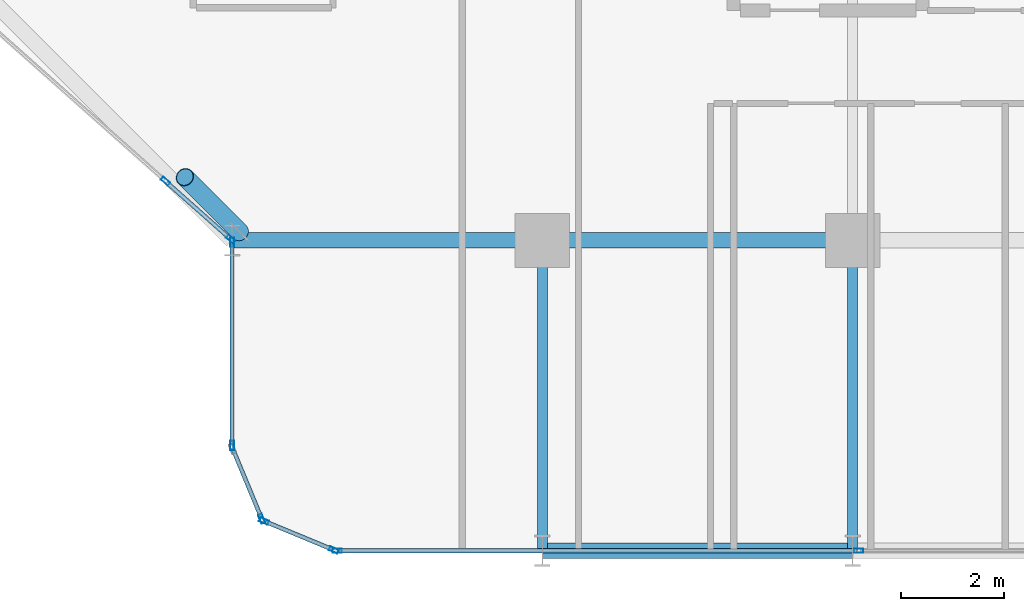
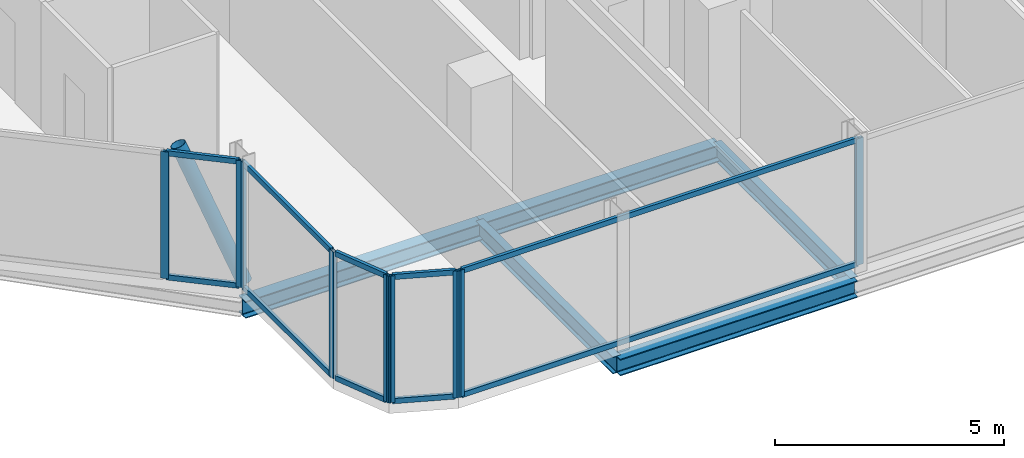
# One storey, part 4 of 30: 20 members, 5 beams, 5 elements without a shape of their own.
"""IFC4 building model written with IfcOpenShell, lengths in metres."""

from ifc_helpers import new_model, si_unit, direction, frame, origin, origin_2d, place, context, subcontext, project, spatial, hollow_rectangle, hollow_circle, i_section, extrude, material, layer, layer_set, material_profile, profile_set, type_object, element, aggregate, save


model = new_model("IFC4")

# Units and contexts
model_context = context("Model", 3, precision=1e-05, world=origin(), true_north=direction((0.0, 1.0)))
body_context = subcontext(model_context, "Body", "Model", "MODEL_VIEW")
ifc_project = project(units=[si_unit("LENGTHUNIT", "METRE"), si_unit("AREAUNIT", "SQUARE_METRE"), si_unit("VOLUMEUNIT", "CUBIC_METRE"), si_unit("PLANEANGLEUNIT", "RADIAN"), si_unit("MASSUNIT", "GRAM", prefix="KILO")], contexts=[model_context])

# Site, building, storey
site_placement = place(None, origin())
site = spatial("IfcSite", under=ifc_project, at=site_placement, CompositionType="ELEMENT")
building_placement = place(site_placement, origin())
building = spatial("IfcBuilding", under=site, at=building_placement, Name="Keshet Zoharim Tower", CompositionType="ELEMENT")
storey_placement = place(building_placement, frame((0.0, 0.0, 90.89990234375)))
storey = spatial("IfcBuildingStorey", under=building, at=storey_placement, Name="L21", CompositionType="ELEMENT", Elevation=90.89990234375)

# Beams
ifc_material_1 = material(Name="Steel S355", Category="steel")
ifc_material_profile_1 = material_profile(ifc_material_1, i_section(OverallWidth=0.18994140625, OverallDepth=0.449951171875, WebThickness=0.009521484375, FlangeThickness=0.0146484375, FilletRadius=0.02099609375, at=origin_2d()), Name="IPE450")
ifc_profile_set_1 = profile_set([ifc_material_profile_1], Name="Steel S355")
beam_type_1 = type_object("IfcBeamType", Name="BM-PRI-IP450", PredefinedType="BEAM", material=ifc_profile_set_1)
for number, where, z_axis, x_axis, name in (
    (1, (27.0, 0.699951171875, -0.539794921875), (0.0, 1.0, 0.0), (-1.0, 0.0, 0.0), "L21 Primary Girder Y-004"),
    (2, (33.0, 0.699951171875, -0.539794921875), (0.0, 1.0, 0.0), (-1.0, 0.0, 0.0), "L21 Primary Girder Y-005"),
):
    element("IfcBeam", number, at=place(storey_placement, frame(where, z_axis=z_axis, x_axis=x_axis)), inside=storey, type_object=beam_type_1, Name=name, PredefinedType="BEAM", context=body_context, shape_type="SweptSolid", body=[
        extrude(i_section(OverallWidth=0.18994140625, OverallDepth=0.449951171875, WebThickness=0.009521484375, FlangeThickness=0.0146484375, FilletRadius=0.02099609375, at=origin_2d()), origin(), (0.0, 0.0, 1.0), 6.0),
    ])
ifc_material_profile_2 = material_profile(ifc_material_1, i_section(OverallWidth=0.300048828125, OverallDepth=0.449951171875, WebThickness=0.013916015625, FlangeThickness=0.02587890625, FilletRadius=0.027099609375, at=origin_2d()), Name="HEB450")
ifc_profile_set_2 = profile_set([ifc_material_profile_2], Name="Steel S355")
beam_type_2 = type_object("IfcBeamType", Name="BM-WEB-HB450", PredefinedType="BEAM", material=ifc_profile_set_2)
for number, where, z_axis, x_axis, name in (
    (3, (27.0, 0.699951171875, -0.539794921875), (1.0, 0.0, 0.0), (0.0, 1.0, 0.0), "L21 Primary Girder X-001"),
    (4, (21.0, 6.699951171875, -0.539794921875), (1.0, 0.0, 0.0), (0.0, 1.0, 0.0), "L21 Primary Girder X-005"),
    (5, (27.0, 6.699951171875, -0.539794921875), (1.0, 0.0, 0.0), (0.0, 1.0, 0.0), "L21 Primary Girder X-006"),
):
    element("IfcBeam", number, at=place(storey_placement, frame(where, z_axis=z_axis, x_axis=x_axis)), inside=storey, type_object=beam_type_2, Name=name, PredefinedType="BEAM", context=body_context, shape_type="SweptSolid", body=[
        extrude(i_section(OverallWidth=0.300048828125, OverallDepth=0.449951171875, WebThickness=0.013916015625, FlangeThickness=0.02587890625, FilletRadius=0.027099609375, at=origin_2d()), origin(), (0.0, 0.0, 1.0), 6.0),
    ])

# Curtain wall, members
ifc_material_2 = material(Name="Aluminium 6063-T6", Category="aluminium")
ifc_layer = layer(ifc_material_2, 0.159912109375)
ifc_layer_set = layer_set([ifc_layer], Name="Aluminium 6063-T6")
curtain_wall_type = type_object("IfcCurtainWallType", Name="CW-SYS-03", PredefinedType="NOTDEFINED", material=ifc_layer_set)
curtain_wall_1_placement = place(storey_placement, origin())
curtain_wall_1 = element("IfcCurtainWall", 6, at=curtain_wall_1_placement, inside=storey, type_object=curtain_wall_type, Name="L21 Unitised Curtain Wall 03 Part 3", PredefinedType="NOTDEFINED")
ifc_material_profile_3 = material_profile(ifc_material_2, hollow_rectangle(XDim=0.080078125, YDim=0.179931640625, WallThickness=0.00439453125, at=origin_2d()), Name="MUL-80x180")
ifc_profile_set_3 = profile_set([ifc_material_profile_3], Name="Aluminium 6063-T6")
member_type_1 = type_object("IfcMemberType", Name="CWM-M18", PredefinedType="MULLION", material=ifc_profile_set_3)
member_1_placement = place(storey_placement, frame((33.11865234375, 0.699951171875, 0.0), z_axis=(0.0, 0.0, 1.0), x_axis=(0.0, -1.0, 0.0)))
member_1 = element("IfcMember", 7, at=member_1_placement, type_object=member_type_1, Name="CW-03 mullion 2", PredefinedType="MULLION", context=body_context, shape_type="SweptSolid", body=[
    extrude(hollow_rectangle(XDim=0.080078125, YDim=0.179931640625, WallThickness=0.00439453125, at=origin_2d()), origin(), (0.0, 0.0, 1.0), 3.385009765625),
])
member_2_placement = place(storey_placement, frame((23.034912109375, 0.699951171875, 0.0), z_axis=(0.0, 0.0, 1.0), x_axis=(0.0, -1.0, 0.0)))
member_2 = element("IfcMember", 8, at=member_2_placement, type_object=member_type_1, Name="CW-03 mullion 3", PredefinedType="MULLION", context=body_context, shape_type="SweptSolid", body=[
    extrude(hollow_rectangle(XDim=0.080078125, YDim=0.179931640625, WallThickness=0.00439453125, at=origin_2d()), origin(), (0.0, 0.0, 1.0), 3.385009765625),
])

curtain_wall_2_placement = place(storey_placement, origin())
curtain_wall_2 = element("IfcCurtainWall", 9, at=curtain_wall_2_placement, inside=storey, type_object=curtain_wall_type, Name="L21 Unitised Curtain Wall 04", PredefinedType="NOTDEFINED")
member_3_placement = place(storey_placement, frame((22.9677734375, 0.71337890625, 0.0), z_axis=(0.0, 0.0, 1.0), x_axis=(-0.382851849847, -0.92380975372, 0.0)))
member_3 = element("IfcMember", 10, at=member_3_placement, type_object=member_type_1, Name="CW-03 mullion 1", PredefinedType="MULLION", context=body_context, shape_type="SweptSolid", body=[
    extrude(hollow_rectangle(XDim=0.080078125, YDim=0.179931640625, WallThickness=0.00439453125, at=origin_2d()), origin(), (0.0, 0.0, 1.0), 3.385009765625),
])
member_4_placement = place(storey_placement, frame((21.618408203125, 1.272705078125, 0.0), z_axis=(0.0, 0.0, 1.0), x_axis=(-0.382851849847, -0.92380975372, 0.0)))
member_4 = element("IfcMember", 11, at=member_4_placement, type_object=member_type_1, Name="CW-03 mullion 2", PredefinedType="MULLION", context=body_context, shape_type="SweptSolid", body=[
    extrude(hollow_rectangle(XDim=0.080078125, YDim=0.179931640625, WallThickness=0.00439453125, at=origin_2d()), origin(), (0.0, 0.0, 1.0), 3.385009765625),
])

# Curtain wall, member
curtain_wall_3_placement = place(storey_placement, origin())
curtain_wall_3 = element("IfcCurtainWall", 12, at=curtain_wall_3_placement, inside=storey, type_object=curtain_wall_type, Name="L21 Unitised Curtain Wall 05", PredefinedType="NOTDEFINED")
member_5_placement = place(storey_placement, frame((21.572509765625, 1.318359375, 0.0), z_axis=(0.0, 0.0, 1.0), x_axis=(-0.92380975372, -0.382851849847, 0.0)))
member_5 = element("IfcMember", 13, at=member_5_placement, type_object=member_type_1, Name="CW-03 mullion 1", PredefinedType="MULLION", context=body_context, shape_type="SweptSolid", body=[
    extrude(hollow_rectangle(XDim=0.080078125, YDim=0.179931640625, WallThickness=0.00439453125, at=origin_2d()), origin(), (0.0, 0.0, 1.0), 3.385009765625),
])

# Curtain wall, members
curtain_wall_4_placement = place(storey_placement, origin())
curtain_wall_4 = element("IfcCurtainWall", 14, at=curtain_wall_4_placement, inside=storey, type_object=curtain_wall_type, Name="L21 Unitised Curtain Wall 06", PredefinedType="NOTDEFINED")
member_6_placement = place(storey_placement, frame((21.0, 2.735107421875, 0.0), z_axis=(0.0, 0.0, 1.0), x_axis=(-1.0, 0.0, 0.0)))
member_6 = element("IfcMember", 15, at=member_6_placement, type_object=member_type_1, Name="CW-03 mullion 1", PredefinedType="MULLION", context=body_context, shape_type="SweptSolid", body=[
    extrude(hollow_rectangle(XDim=0.080078125, YDim=0.179931640625, WallThickness=0.00439453125, at=origin_2d()), origin(), (0.0, 0.0, 1.0), 3.385009765625),
])
member_7_placement = place(storey_placement, frame((21.0, 6.6650390625, 0.0), z_axis=(0.0, 0.0, 1.0), x_axis=(-1.0, 0.0, 0.0)))
member_7 = element("IfcMember", 16, at=member_7_placement, type_object=member_type_1, Name="CW-03 mullion 2", PredefinedType="MULLION", context=body_context, shape_type="SweptSolid", body=[
    extrude(hollow_rectangle(XDim=0.080078125, YDim=0.179931640625, WallThickness=0.00439453125, at=origin_2d()), origin(), (0.0, 0.0, 1.0), 3.385009765625),
])

curtain_wall_5_placement = place(storey_placement, origin())
curtain_wall_5 = element("IfcCurtainWall", 17, at=curtain_wall_5_placement, inside=storey, type_object=curtain_wall_type, Name="L21 Unitised Curtain Wall 07", PredefinedType="NOTDEFINED")
member_8_placement = place(storey_placement, frame((20.973876953125, 6.72314453125, 0.0), z_axis=(0.0, 0.0, 1.0), x_axis=(-0.664360312857, -0.747412452867, 0.0)))
member_8 = element("IfcMember", 18, at=member_8_placement, type_object=member_type_1, Name="CW-03 mullion 1", PredefinedType="MULLION", context=body_context, shape_type="SweptSolid", body=[
    extrude(hollow_rectangle(XDim=0.080078125, YDim=0.179931640625, WallThickness=0.00439453125, at=origin_2d()), origin(), (0.0, 0.0, 1.0), 3.385009765625),
])
member_9_placement = place(storey_placement, frame((19.71044921875, 7.84619140625, 0.0), z_axis=(0.0, 0.0, 1.0), x_axis=(-0.664360312857, -0.747412452867, 0.0)))
member_9 = element("IfcMember", 19, at=member_9_placement, type_object=member_type_1, Name="CW-03 mullion 2", PredefinedType="MULLION", context=body_context, shape_type="SweptSolid", body=[
    extrude(hollow_rectangle(XDim=0.080078125, YDim=0.179931640625, WallThickness=0.00439453125, at=origin_2d()), origin(), (0.0, 0.0, 1.0), 3.385009765625),
])

# Member
ifc_material_profile_4 = material_profile(ifc_material_2, hollow_rectangle(XDim=0.080078125, YDim=0.139892578125, WallThickness=0.00390625, at=origin_2d()), Name="TRN-80x140")
ifc_profile_set_4 = profile_set([ifc_material_profile_4], Name="Aluminium 6063-T6")
member_type_2 = type_object("IfcMemberType", Name="CWT-T14", PredefinedType="USERDEFINED", material=ifc_profile_set_4)
member_10_placement = place(storey_placement, frame((33.083740234375, 0.699951171875, 0.03515625), z_axis=(-1.0, 0.0, 0.0), x_axis=(0.0, -1.0, 0.0)))
member_10 = element("IfcMember", 20, at=member_10_placement, type_object=member_type_2, Name="CW-03 transom 2.1", ObjectType="TRANSOM", PredefinedType="USERDEFINED", context=body_context, shape_type="SweptSolid", body=[
    extrude(hollow_rectangle(XDim=0.080078125, YDim=0.139892578125, WallThickness=0.00390625, at=origin_2d()), origin(), (0.0, 0.0, 1.0), 10.013671875),
])

member_11_placement = place(storey_placement, frame((33.083740234375, 0.699951171875, 3.35009765625), z_axis=(-1.0, 0.0, 0.0), x_axis=(0.0, -1.0, 0.0)))
member_11 = element("IfcMember", 21, at=member_11_placement, type_object=member_type_2, Name="CW-03 transom 2.2", ObjectType="TRANSOM", PredefinedType="USERDEFINED", context=body_context, shape_type="SweptSolid", body=[
    extrude(hollow_rectangle(XDim=0.080078125, YDim=0.139892578125, WallThickness=0.00390625, at=origin_2d()), origin(), (0.0, 0.0, 1.0), 10.013671875),
])

aggregate(curtain_wall_1, [member_1, member_2, member_10, member_11])

member_12_placement = place(storey_placement, frame((22.935302734375, 0.726806640625, 0.03515625), z_axis=(-0.92379209995, 0.382894445076, 0.0), x_axis=(-0.382894445076, -0.92379209995, 0.0)))
member_12 = element("IfcMember", 22, at=member_12_placement, type_object=member_type_2, Name="CW-03 transom 1.1", ObjectType="TRANSOM", PredefinedType="USERDEFINED", context=body_context, shape_type="SweptSolid", body=[
    extrude(hollow_rectangle(XDim=0.080078125, YDim=0.139892578125, WallThickness=0.00390625, at=origin_2d()), origin(), (0.0, 0.0, 1.0), 1.390625),
])

member_13_placement = place(storey_placement, frame((22.935302734375, 0.726806640625, 3.35009765625), z_axis=(-0.92379209995, 0.382894445076, 0.0), x_axis=(-0.382894445076, -0.92379209995, 0.0)))
member_13 = element("IfcMember", 23, at=member_13_placement, type_object=member_type_2, Name="CW-03 transom 1.2", ObjectType="TRANSOM", PredefinedType="USERDEFINED", context=body_context, shape_type="SweptSolid", body=[
    extrude(hollow_rectangle(XDim=0.080078125, YDim=0.139892578125, WallThickness=0.00390625, at=origin_2d()), origin(), (0.0, 0.0, 1.0), 1.390625),
])

aggregate(curtain_wall_2, [member_3, member_4, member_12, member_13])

member_14_placement = place(storey_placement, frame((21.55908203125, 1.3505859375, 0.03515625), z_axis=(-0.382744609247, 0.923854189844, 0.0), x_axis=(-0.923854189844, -0.382744609247, 0.0)))
member_14 = element("IfcMember", 24, at=member_14_placement, type_object=member_type_2, Name="CW-03 transom 1.1", ObjectType="TRANSOM", PredefinedType="USERDEFINED", context=body_context, shape_type="SweptSolid", body=[
    extrude(hollow_rectangle(XDim=0.080078125, YDim=0.139892578125, WallThickness=0.00390625, at=origin_2d()), origin(), (0.0, 0.0, 1.0), 1.390625),
])

member_15_placement = place(storey_placement, frame((21.55908203125, 1.3505859375, 3.35009765625), z_axis=(-0.382744609247, 0.923854189844, 0.0), x_axis=(-0.923854189844, -0.382744609247, 0.0)))
member_15 = element("IfcMember", 25, at=member_15_placement, type_object=member_type_2, Name="CW-03 transom 1.2", ObjectType="TRANSOM", PredefinedType="USERDEFINED", context=body_context, shape_type="SweptSolid", body=[
    extrude(hollow_rectangle(XDim=0.080078125, YDim=0.139892578125, WallThickness=0.00390625, at=origin_2d()), origin(), (0.0, 0.0, 1.0), 1.390625),
])

aggregate(curtain_wall_3, [member_5, member_14, member_15])

member_16_placement = place(storey_placement, frame((21.0, 2.77001953125, 0.03515625), z_axis=(0.0, 1.0, 0.0), x_axis=(-1.0, 0.0, 0.0)))
member_16 = element("IfcMember", 26, at=member_16_placement, type_object=member_type_2, Name="CW-03 transom 1.1", ObjectType="TRANSOM", PredefinedType="USERDEFINED", context=body_context, shape_type="SweptSolid", body=[
    extrude(hollow_rectangle(XDim=0.080078125, YDim=0.139892578125, WallThickness=0.00390625, at=origin_2d()), origin(), (0.0, 0.0, 1.0), 3.85986328125),
])

member_17_placement = place(storey_placement, frame((21.0, 2.77001953125, 3.35009765625), z_axis=(0.0, 1.0, 0.0), x_axis=(-1.0, 0.0, 0.0)))
member_17 = element("IfcMember", 27, at=member_17_placement, type_object=member_type_2, Name="CW-03 transom 1.2", ObjectType="TRANSOM", PredefinedType="USERDEFINED", context=body_context, shape_type="SweptSolid", body=[
    extrude(hollow_rectangle(XDim=0.080078125, YDim=0.139892578125, WallThickness=0.00390625, at=origin_2d()), origin(), (0.0, 0.0, 1.0), 3.85986328125),
])

aggregate(curtain_wall_4, [member_6, member_7, member_16, member_17])

member_18_placement = place(storey_placement, frame((20.94775390625, 6.74658203125, 0.03515625), z_axis=(-0.747467505114, 0.664298373322, 0.0), x_axis=(-0.664298373322, -0.747467505114, 0.0)))
member_18 = element("IfcMember", 28, at=member_18_placement, type_object=member_type_2, Name="CW-03 transom 1.1", ObjectType="TRANSOM", PredefinedType="USERDEFINED", context=body_context, shape_type="SweptSolid", body=[
    extrude(hollow_rectangle(XDim=0.080078125, YDim=0.139892578125, WallThickness=0.00390625, at=origin_2d()), origin(), (0.0, 0.0, 1.0), 1.620361328125),
])

member_19_placement = place(storey_placement, frame((20.94775390625, 6.74658203125, 3.35009765625), z_axis=(-0.747467505114, 0.664298373322, 0.0), x_axis=(-0.664298373322, -0.747467505114, 0.0)))
member_19 = element("IfcMember", 29, at=member_19_placement, type_object=member_type_2, Name="CW-03 transom 1.2", ObjectType="TRANSOM", PredefinedType="USERDEFINED", context=body_context, shape_type="SweptSolid", body=[
    extrude(hollow_rectangle(XDim=0.080078125, YDim=0.139892578125, WallThickness=0.00390625, at=origin_2d()), origin(), (0.0, 0.0, 1.0), 1.620361328125),
])

aggregate(curtain_wall_5, [member_8, member_9, member_18, member_19])

ifc_material_profile_5 = material_profile(ifc_material_1, hollow_circle(Radius=0.177734375, WallThickness=0.012451171875, at=origin_2d()), Name="CHS355x12.5")
ifc_profile_set_5 = profile_set([ifc_material_profile_5], Name="Steel S355")
member_type_3 = type_object("IfcMemberType", Name="MB-BR-C355", PredefinedType="BRACE", material=ifc_profile_set_5)
member_20_placement = place(storey_placement, frame((21.14599609375, 6.864013671875, 0.0), z_axis=(-0.286558246199, 0.286558246199, 0.914203884848), x_axis=(-0.707106781187, -0.707106781187, 0.0)))
element("IfcMember", 30, at=member_20_placement, inside=storey, type_object=member_type_3, Name="L21 Perimeter Tube Brace 01", PredefinedType="BRACE", context=body_context, shape_type="SweptSolid", body=[
    extrude(hollow_circle(Radius=0.177734375, WallThickness=0.012451171875, at=origin_2d()), origin(), (0.0, 0.0, 1.0), 3.70263671875),
])

save(model, "model.ifc")
